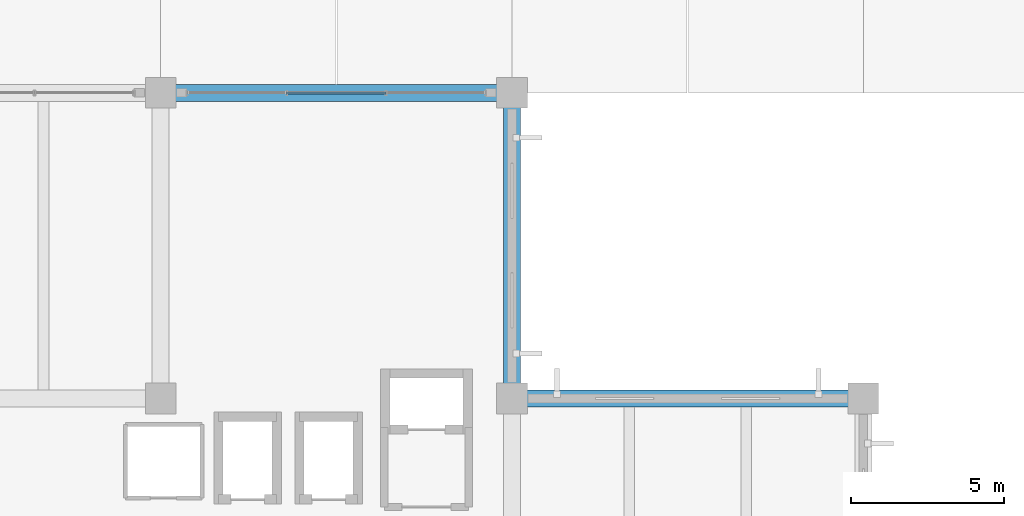
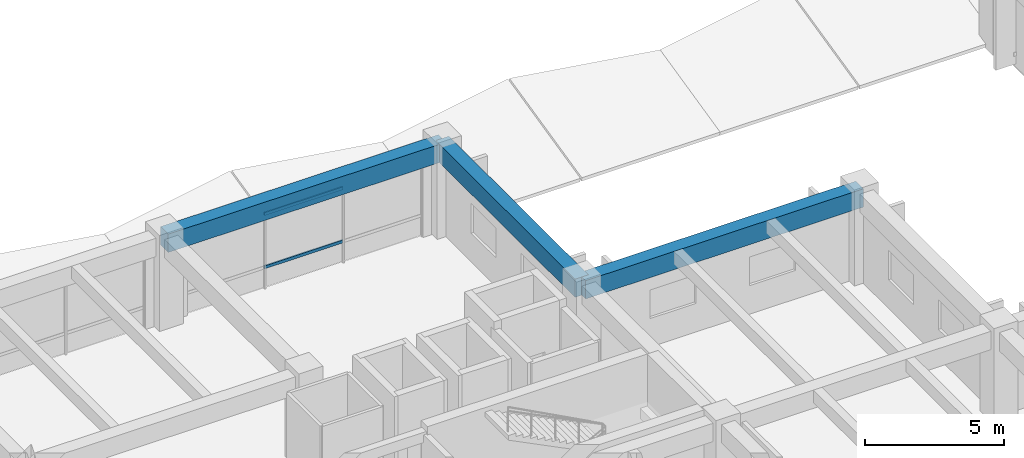
# One storey, part 61 of 98: 3 beams, 2 members, 1 element without a shape of its own.
"""IFC4 building model written with IfcOpenShell, lengths in metres."""

import ifcopenshell
import ifcopenshell.guid

model = None  # the IFC model being written
_history = None  # IfcOwnerHistory: only IFC2X3 demands one
_inside = {}  # id of a spatial element -> (the spatial element, [elements in it])
_under = {}  # id of a project, library or spatial element -> (it, [spatial elements below it])
_declared = {}  # id of a project -> (the project, [libraries it declares])
_typed = {}  # id of a type object -> (the type object, [elements of that type])
_made_of = {}  # id of a material, layer set ... -> (it, [elements and type objects made of it])


def new_model(schema):
    """Start an empty IFC model of exactly this schema.

    Asked for "IFC4X3", IfcOpenShell would pick the latest addendum, in which some entities
    have other attributes; the version numbers below select the first issue.
    IFC2X3 requires an IfcOwnerHistory on every rooted entity: one is made here for all.
    """
    global model, _history
    if schema == "IFC4X3":
        model = ifcopenshell.file(schema_version=(4, 3, 0, 0))
    else:
        model = ifcopenshell.file(schema=schema)
    _inside.clear()
    _under.clear()
    _declared.clear()
    _typed.clear()
    _made_of.clear()
    _history = None
    if model.schema == "IFC2X3":
        org = make("IfcOrganization", Name="unknown")
        user = make(
            "IfcPersonAndOrganization",
            ThePerson=make("IfcPerson", FamilyName="unknown"),
            TheOrganization=org,
        )
        app = make(
            "IfcApplication",
            ApplicationDeveloper=org,
            Version="unknown",
            ApplicationFullName="unknown",
            ApplicationIdentifier="unknown",
        )
        _history = make(
            "IfcOwnerHistory",
            OwningUser=user,
            OwningApplication=app,
            ChangeAction="ADDED",
            CreationDate=0,
        )
    return model


def make(cls, **values):
    """One entity of the class cls with the attributes given. An attribute that is None is left unset."""
    return model.create_entity(
        cls, **{name: value for name, value in values.items() if value is not None}
    )


def rooted(cls, **values):
    """An entity with a GlobalId (a new one), such as an element, a storey or a relation."""
    return make(cls, GlobalId=ifcopenshell.guid.new(), OwnerHistory=_history, **values)


def si_unit(unit_type, name, prefix=None):
    """IfcSIUnit, for example si_unit("LENGTHUNIT", "METRE", prefix="MILLI")."""
    return make("IfcSIUnit", UnitType=unit_type, Prefix=prefix, Name=name)


def assignment(units):
    """IfcUnitAssignment: the units of a project."""
    return None if units is None else make("IfcUnitAssignment", Units=units)


def point(xyz):
    """IfcCartesianPoint."""
    return None if xyz is None else make("IfcCartesianPoint", Coordinates=xyz)


def direction(xyz):
    """IfcDirection."""
    return None if xyz is None else make("IfcDirection", DirectionRatios=xyz)


def frame(location, z_axis=None, x_axis=None):
    """IfcAxis2Placement3D, a coordinate frame: its origin and axes. An axis left out is left unset."""
    return make(
        "IfcAxis2Placement3D",
        Location=point(location),
        Axis=direction(z_axis),
        RefDirection=direction(x_axis),
    )


def frame_2d(location, x_axis=None):
    """IfcAxis2Placement2D, a coordinate frame in the plane: its origin and x axis."""
    return make(
        "IfcAxis2Placement2D", Location=point(location), RefDirection=direction(x_axis)
    )


def origin():
    """The frame at (0, 0, 0) with its axes left unset."""
    return frame((0.0, 0.0, 0.0))


def origin_2d():
    """The frame at (0, 0) in the plane with its x axis left unset."""
    return frame_2d((0.0, 0.0))


def place(relative_to, where):
    """IfcLocalPlacement: puts the frame where relative to a parent placement (None: the world)."""
    return make(
        "IfcLocalPlacement", PlacementRelTo=relative_to, RelativePlacement=where
    )


def context(
    kind, dimensions, precision=None, world=None, true_north=None, identifier=None
):
    """IfcGeometricRepresentationContext, for example the 3D "Model" context."""
    return make(
        "IfcGeometricRepresentationContext",
        ContextIdentifier=identifier,
        ContextType=kind,
        CoordinateSpaceDimension=dimensions,
        Precision=precision,
        WorldCoordinateSystem=world,
        TrueNorth=true_north,
    )


def subcontext(parent, identifier, kind, view, scale=None):
    """IfcGeometricRepresentationSubContext, for example "Body" below "Model"."""
    return make(
        "IfcGeometricRepresentationSubContext",
        ContextIdentifier=identifier,
        ContextType=kind,
        ParentContext=parent,
        TargetScale=scale,
        TargetView=view,
    )


def project(units=None, contexts=None):
    """IfcProject with its units and contexts."""
    return rooted(
        "IfcProject",
        Name="project",
        RepresentationContexts=contexts,
        UnitsInContext=assignment(units),
    )


def spatial(cls, under=None, at=None, **own):
    """A site, building, storey or space (cls), placed at a placement, below another one or the project."""
    s = rooted(cls, ObjectPlacement=at, **own)
    if under is not None:
        _under.setdefault(under.id(), (under, []))[1].append(s)
    return s


def profile(cls, at=None, kind="AREA", **sizes):
    """A parametric profile (cls). Its sizes go by their IFC names, for example OverallWidth=200.0."""
    return make(cls, ProfileType=kind, Position=at, **sizes)


def rectangle(**sizes):
    """IfcRectangleProfileDef."""
    return profile("IfcRectangleProfileDef", **sizes)


def hollow_rectangle(**sizes):
    """IfcRectangleHollowProfileDef."""
    return profile("IfcRectangleHollowProfileDef", **sizes)


def extrude(swept, where, along, depth):
    """IfcExtrudedAreaSolid: the profile swept, set in the frame where, extruded along a direction by depth."""
    return make(
        "IfcExtrudedAreaSolid",
        SweptArea=swept,
        Position=where,
        ExtrudedDirection=direction(along),
        Depth=depth,
    )


def shape(context_of_items, identifier, shape_type, items):
    """IfcShapeRepresentation: the items that make up one representation, for example the "Body"."""
    return make(
        "IfcShapeRepresentation",
        ContextOfItems=context_of_items,
        RepresentationIdentifier=identifier,
        RepresentationType=shape_type,
        Items=items,
    )


def material(Name=None, Category=None):
    """IfcMaterial."""
    return make("IfcMaterial", Name=Name, Category=Category)


def material_profile(
    of_material, cross_section, Name=None, Category=None, Priority=None
):
    """IfcMaterialProfile: a cross section and its material."""
    return make(
        "IfcMaterialProfile",
        Name=Name,
        Material=of_material,
        Profile=cross_section,
        Priority=Priority,
        Category=Category,
    )


def profile_set(profiles, Name=None, composite=None):
    """IfcMaterialProfileSet."""
    return make(
        "IfcMaterialProfileSet",
        Name=Name,
        MaterialProfiles=profiles,
        CompositeProfile=composite,
    )


def made_of(thing, what):
    """Note that an element or type object is made of a material, layer set ...; save() writes the relation."""
    if what is not None:
        _made_of.setdefault(what.id(), (what, []))[1].append(thing)
    return thing


def type_object(cls, material=None, **own):
    """A type object (cls), such as IfcWallType, which elements share."""
    return made_of(rooted(cls, **own), material)


def element(
    cls,
    number,
    at=None,
    inside=None,
    cuts=None,
    type_object=None,
    material=None,
    context=None,
    identifier="Body",
    shape_type=None,
    held_by="IfcProductDefinitionShape",
    body=None,
    shapes=None,
    **own,
):
    """One element of the class cls, such as IfcWall. Its Tag is "e" and its number.

    at: its placement. inside: the storey or other place that contains it. cuts: it is an
    opening in that element (IfcRelVoidsElement). A single representation is given by context,
    identifier, shape_type and body (its items); several are given by shapes. held_by: the class
    of the entity that holds the representations. save() writes the other relations.
    """
    e = rooted(cls, Tag="e%d" % number, ObjectPlacement=at, **own)
    if body is not None:
        shapes = [shape(context, identifier, shape_type, body)]
    if shapes is not None:
        e.Representation = make(held_by, Representations=shapes)
    if inside is not None:
        _inside.setdefault(inside.id(), (inside, []))[1].append(e)
    if cuts is not None:
        rooted(
            "IfcRelVoidsElement", RelatingBuildingElement=cuts, RelatedOpeningElement=e
        )
    if type_object is not None:
        _typed.setdefault(type_object.id(), (type_object, []))[1].append(e)
    return made_of(e, material)


def aggregate(whole, parts):
    """IfcRelAggregates: a whole, such as a stair, and the parts it consists of."""
    return rooted("IfcRelAggregates", RelatingObject=whole, RelatedObjects=parts)


def save(model, path):
    """Write the relations noted so far, then the file.

    IfcRelAggregates (storeys below a building ...), IfcRelContainedInSpatialStructure (elements
    in a storey), IfcRelDefinesByType, IfcRelAssociatesMaterial and IfcRelDeclares: one each for
    every whole, place, type object, material and project.
    """
    for whole, parts in _under.values():
        aggregate(whole, parts)
    for where, things in _inside.values():
        rooted(
            "IfcRelContainedInSpatialStructure",
            RelatedElements=things,
            RelatingStructure=where,
        )
    for kind, things in _typed.values():
        rooted("IfcRelDefinesByType", RelatedObjects=things, RelatingType=kind)
    for what, things in _made_of.values():
        rooted("IfcRelAssociatesMaterial", RelatedObjects=things, RelatingMaterial=what)
    for by, libraries in _declared.values():
        rooted("IfcRelDeclares", RelatingContext=by, RelatedDefinitions=libraries)
    model.write(path)


model = new_model("IFC4")

# Units and contexts
model_context = context("Model", 3, precision=1e-05, world=origin(), true_north=direction((0.0, 1.0)))
body_context = subcontext(model_context, "Body", "Model", "MODEL_VIEW")
ifc_project = project(units=[si_unit("LENGTHUNIT", "METRE"), si_unit("AREAUNIT", "SQUARE_METRE"), si_unit("VOLUMEUNIT", "CUBIC_METRE"), si_unit("PLANEANGLEUNIT", "RADIAN"), si_unit("MASSUNIT", "GRAM", prefix="KILO")], contexts=[model_context])

# Site, building, storey
site_placement = place(None, origin())
site = spatial("IfcSite", under=ifc_project, at=site_placement, CompositionType="ELEMENT")
building_placement = place(site_placement, origin())
building = spatial("IfcBuilding", under=site, at=building_placement, Name="Ologun Quay Terminus", CompositionType="ELEMENT")
storey_placement = place(building_placement, frame((0.0, 0.0, 4.199951171875)))
storey = spatial("IfcBuildingStorey", under=building, at=storey_placement, Name="L01", CompositionType="ELEMENT", Elevation=4.199951171875)

# Beams
ifc_material_1 = material(Name="Concrete C40/50", Category="concrete")
ifc_material_profile_1 = material_profile(ifc_material_1, rectangle(XDim=0.550048828125, YDim=0.800048828125, at=origin_2d()), Name="RC 550x800")
ifc_profile_set_1 = profile_set([ifc_material_profile_1], Name="Concrete C40/50")
beam_type = type_object("IfcBeamType", Name="Courtyard Wing Primary Girder 550x800", PredefinedType="BEAM", material=ifc_profile_set_1)
for number, where, z_axis, x_axis, name in (
    (1, (149.5, 104.800048828125, 3.550048828125), (1.0, 0.0, 0.0), (0.0, 1.0, 0.0), "B4 Beam 14/J L01"),
    (2, (138.0, 114.800048828125, 3.550048828125), (1.0, 0.0, 0.0), (0.0, 1.0, 0.0), "B4 Beam 13/K L01"),
):
    element("IfcBeam", number, at=place(storey_placement, frame(where, z_axis=z_axis, x_axis=x_axis)), inside=storey, type_object=beam_type, Name=name, PredefinedType="BEAM", context=body_context, shape_type="SweptSolid", body=[
        extrude(rectangle(XDim=0.550048828125, YDim=0.800048828125, at=origin_2d()), origin(), (0.0, 0.0, 1.0), 11.5),
    ])
beam_placement = place(storey_placement, frame((149.5, 104.800048828125, 3.550048828125), z_axis=(0.0, 1.0, 0.0), x_axis=(-1.0, 0.0, 0.0)))
element("IfcBeam", 3, at=beam_placement, inside=storey, type_object=beam_type, Name="B4 Beam 14/J L01", PredefinedType="BEAM", context=body_context, shape_type="SweptSolid", body=[
    extrude(rectangle(XDim=0.550048828125, YDim=0.800048828125, at=origin_2d()), origin(), (0.0, 0.0, 1.0), 10.0),
])

# Curtain wall, members
ifc_material_2 = material(Name="Aluminium 6063-T6", Category="aluminium")
curtain_wall_type = type_object("IfcCurtainWallType", Name="Waterfront Pavilion Harbour Curtain Wall L01 10500x3850", PredefinedType="USERDEFINED", material=ifc_material_2)
curtain_wall_placement = place(storey_placement, origin())
curtain_wall = element("IfcCurtainWall", 4, at=curtain_wall_placement, inside=storey, type_object=curtain_wall_type, Name="CW-23 Curtain Wall CW-L01-127", ObjectType="UNITISED CURTAIN WALL", PredefinedType="USERDEFINED")
ifc_material_3 = material(Name="Aluminium 6063-T6", Category="aluminium")
ifc_material_profile_2 = material_profile(ifc_material_3, hollow_rectangle(XDim=0.06005859375, YDim=0.1298828125, WallThickness=0.00390625, at=origin_2d()), Name="ALU 130x60x4")
ifc_profile_set_2 = profile_set([ifc_material_profile_2], Name="Aluminium 6063-T6")
member_type = type_object("IfcMemberType", Name="Curtain Wall Heavy Transom 130x60", PredefinedType="USERDEFINED", material=ifc_profile_set_2)
member_1_placement = place(storey_placement, frame((142.123291015625, 114.800048828125, 0.900146484375), z_axis=(1.0, 0.0, 0.0), x_axis=(0.0, 1.0, 0.0)))
member_1 = element("IfcMember", 5, at=member_1_placement, type_object=member_type, Name="CW-L01-127 Transom B2-1", ObjectType="TRANSOM", PredefinedType="USERDEFINED", context=body_context, shape_type="SweptSolid", body=[
    extrude(hollow_rectangle(XDim=0.06005859375, YDim=0.1298828125, WallThickness=0.00390625, at=origin_2d()), origin(), (0.0, 0.0, 1.0), 3.25341796875),
])
member_2_placement = place(storey_placement, frame((142.123291015625, 114.800048828125, 3.22998046875), z_axis=(1.0, 0.0, 0.0), x_axis=(0.0, 1.0, 0.0)))
member_2 = element("IfcMember", 6, at=member_2_placement, type_object=member_type, Name="CW-L01-127 Transom B2-2", ObjectType="TRANSOM", PredefinedType="USERDEFINED", context=body_context, shape_type="SweptSolid", body=[
    extrude(hollow_rectangle(XDim=0.06005859375, YDim=0.1298828125, WallThickness=0.00390625, at=origin_2d()), origin(), (0.0, 0.0, 1.0), 3.25341796875),
])
aggregate(curtain_wall, [member_1, member_2])

save(model, "model.ifc")
